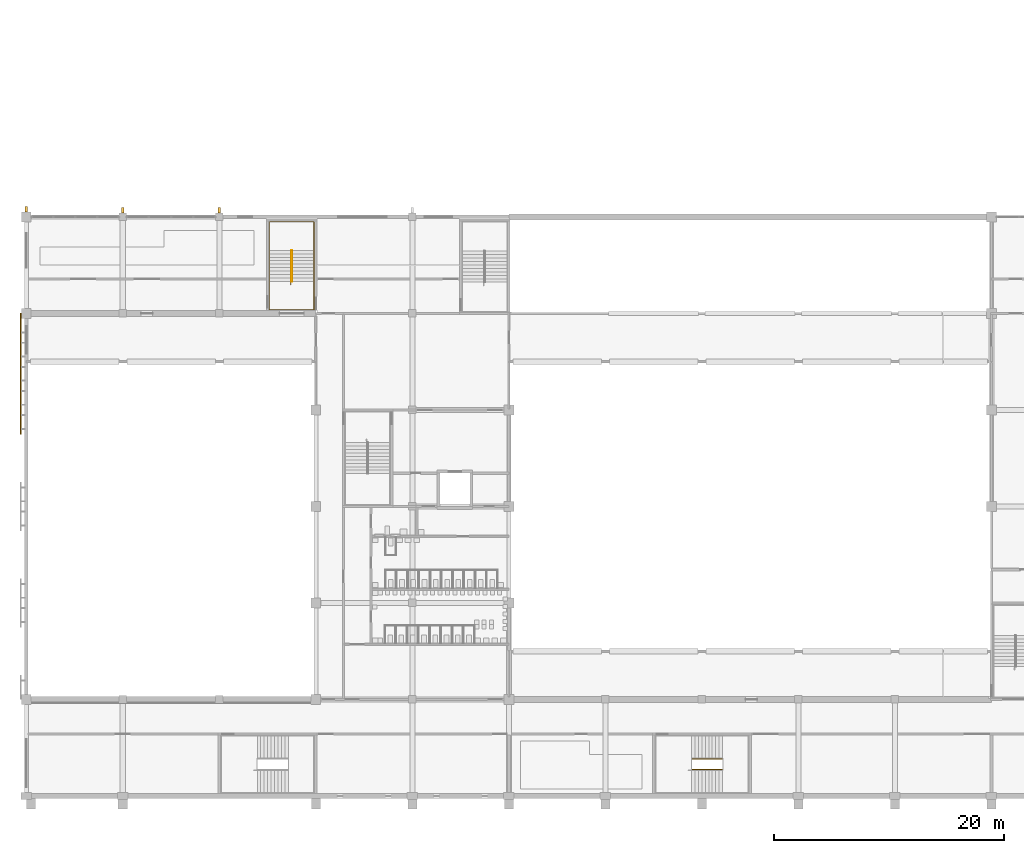
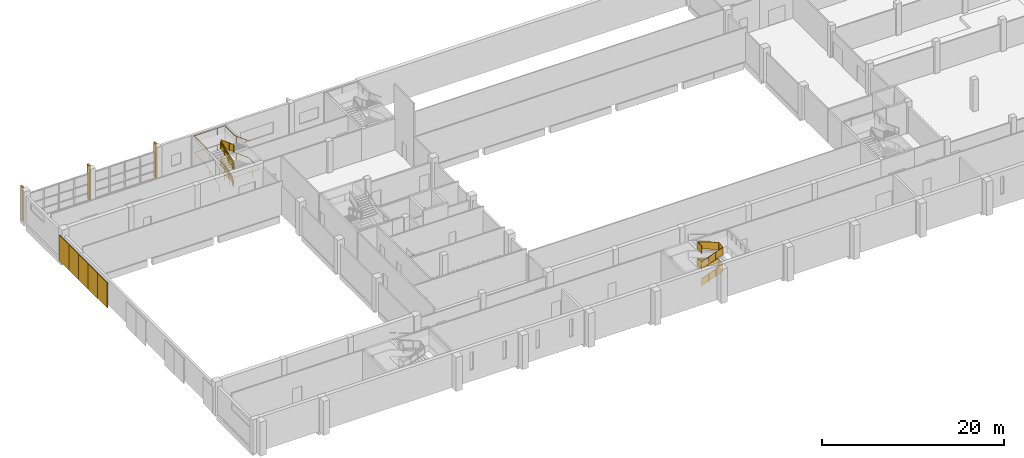
# One storey, part 53 of 64: 8 shading devices, 7 railings.
"""IFC4 building model written with IfcOpenShell, lengths in metres."""

import ifcopenshell
import ifcopenshell.guid

model = None  # the IFC model being written
_history = None  # IfcOwnerHistory: only IFC2X3 demands one
_inside = {}  # id of a spatial element -> (the spatial element, [elements in it])
_under = {}  # id of a project, library or spatial element -> (it, [spatial elements below it])
_declared = {}  # id of a project -> (the project, [libraries it declares])
_typed = {}  # id of a type object -> (the type object, [elements of that type])
_made_of = {}  # id of a material, layer set ... -> (it, [elements and type objects made of it])


def new_model(schema):
    """Start an empty IFC model of exactly this schema.

    Asked for "IFC4X3", IfcOpenShell would pick the latest addendum, in which some entities
    have other attributes; the version numbers below select the first issue.
    IFC2X3 requires an IfcOwnerHistory on every rooted entity: one is made here for all.
    """
    global model, _history
    if schema == "IFC4X3":
        model = ifcopenshell.file(schema_version=(4, 3, 0, 0))
    else:
        model = ifcopenshell.file(schema=schema)
    _inside.clear()
    _under.clear()
    _declared.clear()
    _typed.clear()
    _made_of.clear()
    _history = None
    if model.schema == "IFC2X3":
        org = make("IfcOrganization", Name="unknown")
        user = make(
            "IfcPersonAndOrganization",
            ThePerson=make("IfcPerson", FamilyName="unknown"),
            TheOrganization=org,
        )
        app = make(
            "IfcApplication",
            ApplicationDeveloper=org,
            Version="unknown",
            ApplicationFullName="unknown",
            ApplicationIdentifier="unknown",
        )
        _history = make(
            "IfcOwnerHistory",
            OwningUser=user,
            OwningApplication=app,
            ChangeAction="ADDED",
            CreationDate=0,
        )
    return model


def make(cls, **values):
    """One entity of the class cls with the attributes given. An attribute that is None is left unset."""
    return model.create_entity(
        cls, **{name: value for name, value in values.items() if value is not None}
    )


def rooted(cls, **values):
    """An entity with a GlobalId (a new one), such as an element, a storey or a relation."""
    return make(cls, GlobalId=ifcopenshell.guid.new(), OwnerHistory=_history, **values)


def si_unit(unit_type, name, prefix=None):
    """IfcSIUnit, for example si_unit("LENGTHUNIT", "METRE", prefix="MILLI")."""
    return make("IfcSIUnit", UnitType=unit_type, Prefix=prefix, Name=name)


def assignment(units):
    """IfcUnitAssignment: the units of a project."""
    return None if units is None else make("IfcUnitAssignment", Units=units)


def point(xyz):
    """IfcCartesianPoint."""
    return None if xyz is None else make("IfcCartesianPoint", Coordinates=xyz)


def direction(xyz):
    """IfcDirection."""
    return None if xyz is None else make("IfcDirection", DirectionRatios=xyz)


def frame(location, z_axis=None, x_axis=None):
    """IfcAxis2Placement3D, a coordinate frame: its origin and axes. An axis left out is left unset."""
    return make(
        "IfcAxis2Placement3D",
        Location=point(location),
        Axis=direction(z_axis),
        RefDirection=direction(x_axis),
    )


def frame_2d(location, x_axis=None):
    """IfcAxis2Placement2D, a coordinate frame in the plane: its origin and x axis."""
    return make(
        "IfcAxis2Placement2D", Location=point(location), RefDirection=direction(x_axis)
    )


def origin():
    """The frame at (0, 0, 0) with its axes left unset."""
    return frame((0.0, 0.0, 0.0))


def origin_2d():
    """The frame at (0, 0) in the plane with its x axis left unset."""
    return frame_2d((0.0, 0.0))


def place(relative_to, where):
    """IfcLocalPlacement: puts the frame where relative to a parent placement (None: the world)."""
    return make(
        "IfcLocalPlacement", PlacementRelTo=relative_to, RelativePlacement=where
    )


def context(
    kind, dimensions, precision=None, world=None, true_north=None, identifier=None
):
    """IfcGeometricRepresentationContext, for example the 3D "Model" context."""
    return make(
        "IfcGeometricRepresentationContext",
        ContextIdentifier=identifier,
        ContextType=kind,
        CoordinateSpaceDimension=dimensions,
        Precision=precision,
        WorldCoordinateSystem=world,
        TrueNorth=true_north,
    )


def subcontext(parent, identifier, kind, view, scale=None):
    """IfcGeometricRepresentationSubContext, for example "Body" below "Model"."""
    return make(
        "IfcGeometricRepresentationSubContext",
        ContextIdentifier=identifier,
        ContextType=kind,
        ParentContext=parent,
        TargetScale=scale,
        TargetView=view,
    )


def project(units=None, contexts=None):
    """IfcProject with its units and contexts."""
    return rooted(
        "IfcProject",
        Name="project",
        RepresentationContexts=contexts,
        UnitsInContext=assignment(units),
    )


def spatial(cls, under=None, at=None, **own):
    """A site, building, storey or space (cls), placed at a placement, below another one or the project."""
    s = rooted(cls, ObjectPlacement=at, **own)
    if under is not None:
        _under.setdefault(under.id(), (under, []))[1].append(s)
    return s


def polyline(points):
    """IfcPolyline through the points."""
    return make("IfcPolyline", Points=[point(p) for p in points])


def profile(cls, at=None, kind="AREA", **sizes):
    """A parametric profile (cls). Its sizes go by their IFC names, for example OverallWidth=200.0."""
    return make(cls, ProfileType=kind, Position=at, **sizes)


def rectangle(**sizes):
    """IfcRectangleProfileDef."""
    return profile("IfcRectangleProfileDef", **sizes)


def circle(**sizes):
    """IfcCircleProfileDef."""
    return profile("IfcCircleProfileDef", **sizes)


def outline(outer, holes=None, kind="AREA"):
    """IfcArbitraryClosedProfileDef: a profile drawn as a closed curve; with holes, ...WithVoids."""
    if holes is None:
        return make("IfcArbitraryClosedProfileDef", ProfileType=kind, OuterCurve=outer)
    return make(
        "IfcArbitraryProfileDefWithVoids",
        ProfileType=kind,
        OuterCurve=outer,
        InnerCurves=holes,
    )


def extrude(swept, where, along, depth):
    """IfcExtrudedAreaSolid: the profile swept, set in the frame where, extruded along a direction by depth."""
    return make(
        "IfcExtrudedAreaSolid",
        SweptArea=swept,
        Position=where,
        ExtrudedDirection=direction(along),
        Depth=depth,
    )


def shape(context_of_items, identifier, shape_type, items):
    """IfcShapeRepresentation: the items that make up one representation, for example the "Body"."""
    return make(
        "IfcShapeRepresentation",
        ContextOfItems=context_of_items,
        RepresentationIdentifier=identifier,
        RepresentationType=shape_type,
        Items=items,
    )


def material(Name=None, Category=None):
    """IfcMaterial."""
    return make("IfcMaterial", Name=Name, Category=Category)


def layer(
    of_material, thickness, ventilated=None, Name=None, Category=None, Priority=None
):
    """IfcMaterialLayer: one layer of a wall or slab, of a material (None: an air gap)."""
    return make(
        "IfcMaterialLayer",
        Material=of_material,
        LayerThickness=thickness,
        IsVentilated=ventilated,
        Name=Name,
        Category=Category,
        Priority=Priority,
    )


def layer_set(layers, Name=None):
    """IfcMaterialLayerSet."""
    return make("IfcMaterialLayerSet", MaterialLayers=layers, LayerSetName=Name)


def material_profile(
    of_material, cross_section, Name=None, Category=None, Priority=None
):
    """IfcMaterialProfile: a cross section and its material."""
    return make(
        "IfcMaterialProfile",
        Name=Name,
        Material=of_material,
        Profile=cross_section,
        Priority=Priority,
        Category=Category,
    )


def profile_set(profiles, Name=None, composite=None):
    """IfcMaterialProfileSet."""
    return make(
        "IfcMaterialProfileSet",
        Name=Name,
        MaterialProfiles=profiles,
        CompositeProfile=composite,
    )


def made_of(thing, what):
    """Note that an element or type object is made of a material, layer set ...; save() writes the relation."""
    if what is not None:
        _made_of.setdefault(what.id(), (what, []))[1].append(thing)
    return thing


def type_object(cls, material=None, **own):
    """A type object (cls), such as IfcWallType, which elements share."""
    return made_of(rooted(cls, **own), material)


def element(
    cls,
    number,
    at=None,
    inside=None,
    cuts=None,
    type_object=None,
    material=None,
    context=None,
    identifier="Body",
    shape_type=None,
    held_by="IfcProductDefinitionShape",
    body=None,
    shapes=None,
    **own,
):
    """One element of the class cls, such as IfcWall. Its Tag is "e" and its number.

    at: its placement. inside: the storey or other place that contains it. cuts: it is an
    opening in that element (IfcRelVoidsElement). A single representation is given by context,
    identifier, shape_type and body (its items); several are given by shapes. held_by: the class
    of the entity that holds the representations. save() writes the other relations.
    """
    e = rooted(cls, Tag="e%d" % number, ObjectPlacement=at, **own)
    if body is not None:
        shapes = [shape(context, identifier, shape_type, body)]
    if shapes is not None:
        e.Representation = make(held_by, Representations=shapes)
    if inside is not None:
        _inside.setdefault(inside.id(), (inside, []))[1].append(e)
    if cuts is not None:
        rooted(
            "IfcRelVoidsElement", RelatingBuildingElement=cuts, RelatedOpeningElement=e
        )
    if type_object is not None:
        _typed.setdefault(type_object.id(), (type_object, []))[1].append(e)
    return made_of(e, material)


def aggregate(whole, parts):
    """IfcRelAggregates: a whole, such as a stair, and the parts it consists of."""
    return rooted("IfcRelAggregates", RelatingObject=whole, RelatedObjects=parts)


def save(model, path):
    """Write the relations noted so far, then the file.

    IfcRelAggregates (storeys below a building ...), IfcRelContainedInSpatialStructure (elements
    in a storey), IfcRelDefinesByType, IfcRelAssociatesMaterial and IfcRelDeclares: one each for
    every whole, place, type object, material and project.
    """
    for whole, parts in _under.values():
        aggregate(whole, parts)
    for where, things in _inside.values():
        rooted(
            "IfcRelContainedInSpatialStructure",
            RelatedElements=things,
            RelatingStructure=where,
        )
    for kind, things in _typed.values():
        rooted("IfcRelDefinesByType", RelatedObjects=things, RelatingType=kind)
    for what, things in _made_of.values():
        rooted("IfcRelAssociatesMaterial", RelatedObjects=things, RelatingMaterial=what)
    for by, libraries in _declared.values():
        rooted("IfcRelDeclares", RelatingContext=by, RelatedDefinitions=libraries)
    model.write(path)


model = new_model("IFC4")

# Units and contexts
model_context = context("Model", 3, precision=1e-05, world=origin(), true_north=direction((0.0, 1.0)))
body_context = subcontext(model_context, "Body", "Model", "MODEL_VIEW")
ifc_project = project(units=[si_unit("LENGTHUNIT", "METRE"), si_unit("AREAUNIT", "SQUARE_METRE"), si_unit("VOLUMEUNIT", "CUBIC_METRE"), si_unit("PLANEANGLEUNIT", "RADIAN"), si_unit("MASSUNIT", "GRAM", prefix="KILO")], contexts=[model_context])

# Site, building, storey
site_placement = place(None, origin())
site = spatial("IfcSite", under=ifc_project, at=site_placement, CompositionType="ELEMENT")
building_placement = place(site_placement, origin())
building = spatial("IfcBuilding", under=site, at=building_placement, Name="Rulbaag Community and Learning Centre", CompositionType="ELEMENT")
storey_placement = place(building_placement, frame((0.0, 0.0, 5.39990234375)))
storey = spatial("IfcBuildingStorey", under=building, at=storey_placement, Name="L01", CompositionType="ELEMENT", Elevation=5.39990234375)

# Shading devices
ifc_material_1 = material(Name="Concrete M40", Category="concrete")
ifc_material_profile = material_profile(ifc_material_1, rectangle(XDim=0.199951171875, YDim=0.5, at=origin_2d()), Name="PC 200x500")
ifc_profile_set = profile_set([ifc_material_profile], Name="Concrete M40")
shading_device_type_1 = type_object("IfcShadingDeviceType", Name="FIN-D", PredefinedType="JALOUSIE", material=ifc_profile_set)
for number, where, z_axis, x_axis, name in (
    (1, (0.0, 51.074951171875, -0.2998046875), (0.0, 0.0, 1.0), (1.0, 0.0, 0.0), "Precast fin"),
    (2, (8.39990234375, 50.97509765625, -0.2998046875), (0.0, 0.0, 1.0), (1.0, 0.0, 0.0), "Precast fin"),
    (3, (16.800048828125, 50.97509765625, -0.2998046875), (0.0, 0.0, 1.0), (1.0, 0.0, 0.0), "Precast fin"),
):
    element("IfcShadingDevice", number, at=place(storey_placement, frame(where, z_axis=z_axis, x_axis=x_axis)), inside=storey, type_object=shading_device_type_1, Name=name, PredefinedType="JALOUSIE", context=body_context, shape_type="SweptSolid", body=[
        extrude(rectangle(XDim=0.199951171875, YDim=0.5, at=origin_2d()), origin(), (0.0, 0.0, 1.0), 4.5498046875),
    ])

# Railings
ifc_material_2 = material(Name="Galvanised mild steel", Category="steel")
railing_type_1 = type_object("IfcRailingType", Name="GR-1100 GUARD 1100", PredefinedType="GUARDRAIL", material=ifc_material_2)
railing_1_placement = place(storey_placement, frame((23.080078125, 44.78759765625, 0.112548828125)))
element("IfcRailing", 4, at=railing_1_placement, inside=storey, type_object=railing_type_1, Name="Guard SH0 L01 G", PredefinedType="GUARDRAIL", context=body_context, shape_type="SweptSolid", body=[
    extrude(circle(Radius=0.02490234375, at=origin_2d()), frame((0.0, 0.0, 1.0751953125), z_axis=(0.0, 0.93633265699, 0.351114162993), x_axis=(-1.0, 0.0, 0.0)), (0.0, 0.0, 1.0), 2.883544921875),
    extrude(circle(Radius=0.02001953125, at=origin_2d()), origin(), (0.0, 0.0, 1.0), 1.050048828125),
    extrude(circle(Radius=0.02001953125, at=origin_2d()), frame((0.0, 0.89990234375, 0.33740234375)), (0.0, 0.0, 1.0), 1.050048828125),
    extrude(circle(Radius=0.02001953125, at=origin_2d()), frame((0.0, 1.800048828125, 0.675048828125)), (0.0, 0.0, 1.0), 1.050048828125),
    extrude(circle(Radius=0.02001953125, at=origin_2d()), frame((0.0, 2.699951171875, 1.012451171875)), (0.0, 0.0, 1.0), 1.050048828125),
    extrude(outline(polyline([(0.0, 0.0), (2.699951171875, 1.012451171875), (2.699951171875, 1.96240234375), (0.0, 0.949951171875), (0.0, 0.0)])), frame((-0.0048828125, 0.0, 0.10009765625), z_axis=(1.0, 0.0, 0.0), x_axis=(0.0, 1.0, 0.0)), (0.0, 0.0, 1.0), 0.010009765625),
])
railing_2_placement = place(storey_placement, frame((23.1201171875, 47.487548828125, 1.237548828125)))
element("IfcRailing", 5, at=railing_2_placement, inside=storey, type_object=railing_type_1, Name="Guard SH0 L01 G2", PredefinedType="GUARDRAIL", context=body_context, shape_type="SweptSolid", body=[
    extrude(circle(Radius=0.02490234375, at=origin_2d()), frame((0.0, 0.0, 1.0751953125), z_axis=(0.0, -0.93633265699, 0.351114162993), x_axis=(1.0, 0.0, 0.0)), (0.0, 0.0, 1.0), 2.883544921875),
    extrude(circle(Radius=0.02001953125, at=origin_2d()), origin(), (0.0, 0.0, 1.0), 1.050048828125),
    extrude(circle(Radius=0.02001953125, at=origin_2d()), frame((0.0, -0.89990234375, 0.33740234375)), (0.0, 0.0, 1.0), 1.050048828125),
    extrude(circle(Radius=0.02001953125, at=origin_2d()), frame((0.0, -1.800048828125, 0.675048828125)), (0.0, 0.0, 1.0), 1.050048828125),
    extrude(circle(Radius=0.02001953125, at=origin_2d()), frame((0.0, -2.699951171875, 1.012451171875)), (0.0, 0.0, 1.0), 1.050048828125),
    extrude(outline(polyline([(0.0, 0.0), (2.699951171875, 1.012451171875), (2.699951171875, 1.96240234375), (0.0, 0.949951171875), (0.0, 0.0)])), frame((0.0048828125, 0.0, 0.10009765625), z_axis=(-1.0, 0.0, 0.0), x_axis=(0.0, -1.0, 0.0)), (0.0, 0.0, 1.0), 0.010009765625),
])
railing_3_placement = place(storey_placement, frame((23.080078125, 44.78759765625, 2.362548828125)))
element("IfcRailing", 6, at=railing_3_placement, inside=storey, type_object=railing_type_1, Name="Guard SH0 L01 G3", PredefinedType="GUARDRAIL", context=body_context, shape_type="SweptSolid", body=[
    extrude(circle(Radius=0.02490234375, at=origin_2d()), frame((0.0, 0.0, 1.0751953125), z_axis=(0.0, 0.93633265699, 0.351114162993), x_axis=(-1.0, 0.0, 0.0)), (0.0, 0.0, 1.0), 2.883544921875),
    extrude(circle(Radius=0.02001953125, at=origin_2d()), origin(), (0.0, 0.0, 1.0), 1.050048828125),
    extrude(circle(Radius=0.02001953125, at=origin_2d()), frame((0.0, 0.89990234375, 0.33740234375)), (0.0, 0.0, 1.0), 1.050048828125),
    extrude(circle(Radius=0.02001953125, at=origin_2d()), frame((0.0, 1.800048828125, 0.675048828125)), (0.0, 0.0, 1.0), 1.050048828125),
    extrude(circle(Radius=0.02001953125, at=origin_2d()), frame((0.0, 2.699951171875, 1.012451171875)), (0.0, 0.0, 1.0), 1.050048828125),
    extrude(outline(polyline([(0.0, 0.0), (2.699951171875, 1.012451171875), (2.699951171875, 1.96240234375), (0.0, 0.949951171875), (0.0, 0.0)])), frame((-0.0048828125, 0.0, 0.10009765625), z_axis=(1.0, 0.0, 0.0), x_axis=(0.0, 1.0, 0.0)), (0.0, 0.0, 1.0), 0.010009765625),
])
railing_4_placement = place(storey_placement, frame((23.1201171875, 47.487548828125, 3.487548828125)))
element("IfcRailing", 7, at=railing_4_placement, inside=storey, type_object=railing_type_1, Name="Guard SH0 L01 G4", PredefinedType="GUARDRAIL", context=body_context, shape_type="SweptSolid", body=[
    extrude(circle(Radius=0.02490234375, at=origin_2d()), frame((0.0, 0.0, 1.0751953125), z_axis=(0.0, -0.93633265699, 0.351114162993), x_axis=(1.0, 0.0, 0.0)), (0.0, 0.0, 1.0), 2.883544921875),
    extrude(circle(Radius=0.02001953125, at=origin_2d()), origin(), (0.0, 0.0, 1.0), 1.050048828125),
    extrude(circle(Radius=0.02001953125, at=origin_2d()), frame((0.0, -0.89990234375, 0.33740234375)), (0.0, 0.0, 1.0), 1.050048828125),
    extrude(circle(Radius=0.02001953125, at=origin_2d()), frame((0.0, -1.800048828125, 0.675048828125)), (0.0, 0.0, 1.0), 1.050048828125),
    extrude(circle(Radius=0.02001953125, at=origin_2d()), frame((0.0, -2.699951171875, 1.012451171875)), (0.0, 0.0, 1.0), 1.050048828125),
    extrude(outline(polyline([(0.0, 0.0), (2.699951171875, 1.012451171875), (2.699951171875, 1.96240234375), (0.0, 0.949951171875), (0.0, 0.0)])), frame((0.0048828125, 0.0, 0.10009765625), z_axis=(-1.0, 0.0, 0.0), x_axis=(0.0, -1.0, 0.0)), (0.0, 0.0, 1.0), 0.010009765625),
])
railing_5_placement = place(storey_placement, frame((57.89990234375, 2.304931640625, 0.112548828125)))
element("IfcRailing", 8, at=railing_5_placement, inside=storey, type_object=railing_type_1, Name="Guard SH8 L01 G", PredefinedType="GUARDRAIL", context=body_context, shape_type="SweptSolid", body=[
    extrude(circle(Radius=0.02490234375, at=origin_2d()), frame((0.0, 0.0, 1.0751953125), z_axis=(0.936343093598, 0.0, 0.351086329941), x_axis=(0.0, 1.0, 0.0)), (0.0, 0.0, 1.0), 2.8837890625),
    extrude(circle(Radius=0.02490234375, at=origin_2d()), frame((2.7001953125, 0.0, 2.08740234375), z_axis=(0.0, 0.992520392836, 0.122078949065), x_axis=(-1.0, 0.0, 0.0)), (0.0, 0.0, 1.0), 0.921875),
    extrude(circle(Radius=0.02490234375, at=origin_2d()), frame((2.7001953125, 0.9150390625, 2.2001953125), z_axis=(-0.936343093598, 0.0, 0.351086329941), x_axis=(0.0, -1.0, 0.0)), (0.0, 0.0, 1.0), 2.8837890625),
    extrude(circle(Radius=0.02490234375, at=origin_2d()), frame((0.0, 0.9150390625, 3.21240234375), z_axis=(0.0, -0.992520392836, 0.122078949065), x_axis=(1.0, 0.0, 0.0)), (0.0, 0.0, 1.0), 0.921875),
    extrude(circle(Radius=0.02490234375, at=origin_2d()), frame((0.0, 0.0, 3.3251953125), z_axis=(0.936343093598, 0.0, 0.351086329941), x_axis=(0.0, 1.0, 0.0)), (0.0, 0.0, 1.0), 2.8837890625),
    extrude(circle(Radius=0.02490234375, at=origin_2d()), frame((2.7001953125, 0.0, 4.33740234375), z_axis=(0.0, 0.992520392836, 0.122078949065), x_axis=(-1.0, 0.0, 0.0)), (0.0, 0.0, 1.0), 0.921875),
    extrude(circle(Radius=0.02490234375, at=origin_2d()), frame((2.7001953125, 0.9150390625, 4.4501953125), z_axis=(-0.936343093598, 0.0, 0.351086329941), x_axis=(0.0, -1.0, 0.0)), (0.0, 0.0, 1.0), 2.8837890625),
    extrude(circle(Radius=0.02490234375, at=origin_2d()), frame((0.0, 0.9150390625, 5.46240234375), z_axis=(0.0, -1.0, 0.0), x_axis=(1.0, 0.0, 0.0)), (0.0, 0.0, 1.0), 0.9150390625),
    extrude(circle(Radius=0.02001953125, at=origin_2d()), origin(), (0.0, 0.0, 1.0), 1.050048828125),
    extrude(circle(Radius=0.02001953125, at=origin_2d()), frame((0.900146484375, 0.0, 0.33740234375)), (0.0, 0.0, 1.0), 1.050048828125),
    extrude(circle(Radius=0.02001953125, at=origin_2d()), frame((1.800048828125, 0.0, 0.675048828125)), (0.0, 0.0, 1.0), 1.050048828125),
    extrude(circle(Radius=0.02001953125, at=origin_2d()), frame((2.7001953125, 0.0, 1.012451171875)), (0.0, 0.0, 1.0), 1.050048828125),
    extrude(circle(Radius=0.02001953125, at=origin_2d()), frame((2.7001953125, 0.9150390625, 1.125)), (0.0, 0.0, 1.0), 1.050048828125),
    extrude(circle(Radius=0.02001953125, at=origin_2d()), frame((1.800048828125, 0.9150390625, 1.46240234375)), (0.0, 0.0, 1.0), 1.050048828125),
    extrude(circle(Radius=0.02001953125, at=origin_2d()), frame((0.900146484375, 0.9150390625, 1.800048828125)), (0.0, 0.0, 1.0), 1.050048828125),
    extrude(circle(Radius=0.02001953125, at=origin_2d()), frame((0.0, 0.9150390625, 2.137451171875)), (0.0, 0.0, 1.0), 1.050048828125),
    extrude(circle(Radius=0.02001953125, at=origin_2d()), frame((0.0, 0.0, 2.25)), (0.0, 0.0, 1.0), 1.050048828125),
    extrude(circle(Radius=0.02001953125, at=origin_2d()), frame((0.900146484375, 0.0, 2.58740234375)), (0.0, 0.0, 1.0), 1.050048828125),
    extrude(circle(Radius=0.02001953125, at=origin_2d()), frame((1.800048828125, 0.0, 2.925048828125)), (0.0, 0.0, 1.0), 1.050048828125),
    extrude(circle(Radius=0.02001953125, at=origin_2d()), frame((2.7001953125, 0.0, 3.262451171875)), (0.0, 0.0, 1.0), 1.050048828125),
    extrude(circle(Radius=0.02001953125, at=origin_2d()), frame((2.7001953125, 0.9150390625, 3.375)), (0.0, 0.0, 1.0), 1.050048828125),
    extrude(circle(Radius=0.02001953125, at=origin_2d()), frame((1.800048828125, 0.9150390625, 3.71240234375)), (0.0, 0.0, 1.0), 1.050048828125),
    extrude(circle(Radius=0.02001953125, at=origin_2d()), frame((0.900146484375, 0.9150390625, 4.050048828125)), (0.0, 0.0, 1.0), 1.050048828125),
    extrude(circle(Radius=0.02001953125, at=origin_2d()), frame((0.0, 0.9150390625, 4.387451171875)), (0.0, 0.0, 1.0), 1.050048828125),
    extrude(circle(Radius=0.02001953125, at=origin_2d()), frame((0.0, 0.0, 4.387451171875)), (0.0, 0.0, 1.0), 1.050048828125),
    extrude(outline(polyline([(0.0, 0.0), (2.7001953125, 1.012451171875), (2.7001953125, 1.96240234375), (0.0, 0.949951171875), (0.0, 0.0)])), frame((0.0, 0.0048828125, 0.10009765625), z_axis=(0.0, -1.0, 0.0), x_axis=(1.0, 0.0, 0.0)), (0.0, 0.0, 1.0), 0.010009765625),
    extrude(outline(polyline([(0.0, 0.0), (0.9150390625, 0.112548828125), (0.9150390625, 1.0625), (0.0, 0.949951171875), (0.0, 0.0)])), frame((2.6953125, 0.0, 1.112548828125), z_axis=(1.0, 0.0, 0.0), x_axis=(0.0, 1.0, 0.0)), (0.0, 0.0, 1.0), 0.010009765625),
    extrude(outline(polyline([(0.0, 0.0), (2.7001953125, 1.012451171875), (2.7001953125, 1.96240234375), (0.0, 0.949951171875), (0.0, 0.0)])), frame((2.7001953125, 0.91015625, 1.22509765625), z_axis=(0.0, 1.0, 0.0), x_axis=(-1.0, 0.0, 0.0)), (0.0, 0.0, 1.0), 0.010009765625),
    extrude(outline(polyline([(0.0, 0.0), (0.9150390625, 0.112548828125), (0.9150390625, 1.0625), (0.0, 0.949951171875), (0.0, 0.0)])), frame((0.0048828125, 0.9150390625, 2.237548828125), z_axis=(-1.0, 0.0, 0.0), x_axis=(0.0, -1.0, 0.0)), (0.0, 0.0, 1.0), 0.010009765625),
    extrude(outline(polyline([(0.0, 0.0), (2.7001953125, 1.012451171875), (2.7001953125, 1.96240234375), (0.0, 0.949951171875), (0.0, 0.0)])), frame((0.0, 0.0048828125, 2.35009765625), z_axis=(0.0, -1.0, 0.0), x_axis=(1.0, 0.0, 0.0)), (0.0, 0.0, 1.0), 0.010009765625),
    extrude(outline(polyline([(0.0, 0.0), (0.9150390625, 0.112548828125), (0.9150390625, 1.0625), (0.0, 0.949951171875), (0.0, 0.0)])), frame((2.6953125, 0.0, 3.362548828125), z_axis=(1.0, 0.0, 0.0), x_axis=(0.0, 1.0, 0.0)), (0.0, 0.0, 1.0), 0.010009765625),
    extrude(outline(polyline([(0.0, 0.0), (2.7001953125, 1.012451171875), (2.7001953125, 1.96240234375), (0.0, 0.949951171875), (0.0, 0.0)])), frame((2.7001953125, 0.91015625, 3.47509765625), z_axis=(0.0, 1.0, 0.0), x_axis=(-1.0, 0.0, 0.0)), (0.0, 0.0, 1.0), 0.010009765625),
    extrude(outline(polyline([(0.0, 0.0), (0.9150390625, 0.0), (0.9150390625, 0.949951171875), (0.0, 0.949951171875), (0.0, 0.0)])), frame((0.0048828125, 0.9150390625, 4.487548828125), z_axis=(-1.0, 0.0, 0.0), x_axis=(0.0, -1.0, 0.0)), (0.0, 0.0, 1.0), 0.010009765625),
])
ifc_material_3 = material(Name="Stainless steel grade 316", Category="steel")
railing_type_2 = type_object("IfcRailingType", Name="HR-900 HANDRAIL 900", PredefinedType="HANDRAIL", material=ifc_material_3)
railing_6_placement = place(storey_placement, frame((21.159912109375, 44.487548828125, 0.0)))
element("IfcRailing", 9, at=railing_6_placement, inside=storey, type_object=railing_type_2, Name="Handrail SH0 L01 O", PredefinedType="HANDRAIL", context=body_context, shape_type="SweptSolid", body=[
    extrude(circle(Radius=0.024169921875, at=origin_2d()), frame((0.0, 0.0, 0.875732421875), z_axis=(0.0, 0.936297865471, 0.351206929196), x_axis=(-1.0, 0.0, 0.0)), (0.0, 0.0, 1.0), 0.320556640625),
    extrude(circle(Radius=0.024169921875, at=origin_2d()), frame((0.0, 0.300048828125, 0.98828125), z_axis=(0.0, 0.93633265699, 0.351114162993), x_axis=(-1.0, 0.0, 0.0)), (0.0, 0.0, 1.0), 2.883544921875),
    extrude(circle(Radius=0.024169921875, at=origin_2d()), frame((0.0, 3.0, 2.000732421875), z_axis=(0.0, 1.0, 0.0), x_axis=(-1.0, 0.0, 0.0)), (0.0, 0.0, 1.0), 2.4775390625),
    extrude(circle(Radius=0.024169921875, at=origin_2d()), frame((0.0, 5.4775390625, 2.000732421875), z_axis=(1.0, 0.0, 0.0), x_axis=(0.0, 1.0, 0.0)), (0.0, 0.0, 1.0), 3.880126953125),
    extrude(circle(Radius=0.024169921875, at=origin_2d()), frame((3.880126953125, 5.4775390625, 2.000732421875), z_axis=(0.0, -1.0, 0.0), x_axis=(1.0, 0.0, 0.0)), (0.0, 0.0, 1.0), 2.177490234375),
    extrude(circle(Radius=0.024169921875, at=origin_2d()), frame((3.880126953125, 3.300048828125, 2.000732421875), z_axis=(0.0, -0.936297865471, 0.351206929196), x_axis=(1.0, 0.0, 0.0)), (0.0, 0.0, 1.0), 0.320556640625),
    extrude(circle(Radius=0.024169921875, at=origin_2d()), frame((3.880126953125, 3.0, 2.11328125), z_axis=(0.0, -0.93633265699, 0.351114162993), x_axis=(1.0, 0.0, 0.0)), (0.0, 0.0, 1.0), 2.883544921875),
    extrude(circle(Radius=0.024169921875, at=origin_2d()), frame((3.880126953125, 0.300048828125, 3.125732421875), z_axis=(0.0, -1.0, 0.0), x_axis=(1.0, 0.0, 0.0)), (0.0, 0.0, 1.0), 2.4775390625),
    extrude(circle(Radius=0.024169921875, at=origin_2d()), frame((3.880126953125, -2.177490234375, 3.125732421875), z_axis=(-1.0, 0.0, 0.0), x_axis=(0.0, -1.0, 0.0)), (0.0, 0.0, 1.0), 3.880126953125),
    extrude(circle(Radius=0.024169921875, at=origin_2d()), frame((0.0, -2.177490234375, 3.125732421875), z_axis=(0.0, 1.0, 0.0), x_axis=(-1.0, 0.0, 0.0)), (0.0, 0.0, 1.0), 2.177490234375),
    extrude(circle(Radius=0.024169921875, at=origin_2d()), frame((0.0, 0.0, 3.125732421875), z_axis=(0.0, 0.936297865471, 0.351206929196), x_axis=(-1.0, 0.0, 0.0)), (0.0, 0.0, 1.0), 0.320556640625),
    extrude(circle(Radius=0.024169921875, at=origin_2d()), frame((0.0, 0.300048828125, 3.23828125), z_axis=(0.0, 0.93633265699, 0.351114162993), x_axis=(-1.0, 0.0, 0.0)), (0.0, 0.0, 1.0), 2.883544921875),
    extrude(circle(Radius=0.024169921875, at=origin_2d()), frame((0.0, 3.0, 4.250732421875), z_axis=(0.0, 1.0, 0.0), x_axis=(-1.0, 0.0, 0.0)), (0.0, 0.0, 1.0), 2.4775390625),
    extrude(circle(Radius=0.024169921875, at=origin_2d()), frame((0.0, 5.4775390625, 4.250732421875), z_axis=(1.0, 0.0, 0.0), x_axis=(0.0, 1.0, 0.0)), (0.0, 0.0, 1.0), 3.880126953125),
    extrude(circle(Radius=0.024169921875, at=origin_2d()), frame((3.880126953125, 5.4775390625, 4.250732421875), z_axis=(0.0, -1.0, 0.0), x_axis=(1.0, 0.0, 0.0)), (0.0, 0.0, 1.0), 2.177490234375),
    extrude(circle(Radius=0.024169921875, at=origin_2d()), frame((3.880126953125, 3.300048828125, 4.250732421875), z_axis=(0.0, -0.936297865471, 0.351206929196), x_axis=(1.0, 0.0, 0.0)), (0.0, 0.0, 1.0), 0.320556640625),
    extrude(circle(Radius=0.024169921875, at=origin_2d()), frame((3.880126953125, 3.0, 4.36328125), z_axis=(0.0, -0.93633265699, 0.351114162993), x_axis=(1.0, 0.0, 0.0)), (0.0, 0.0, 1.0), 2.883544921875),
    extrude(circle(Radius=0.008056640625, at=origin_2d()), origin(), (0.0, 0.0, 1.0), 0.8515625),
    extrude(circle(Radius=0.008056640625, at=origin_2d()), frame((0.0, 0.300048828125, 0.112548828125)), (0.0, 0.0, 1.0), 0.8515625),
    extrude(circle(Radius=0.008056640625, at=origin_2d()), frame((0.0, 1.199951171875, 0.449951171875)), (0.0, 0.0, 1.0), 0.8515625),
    extrude(circle(Radius=0.008056640625, at=origin_2d()), frame((0.0, 2.10009765625, 0.78759765625)), (0.0, 0.0, 1.0), 0.8515625),
    extrude(circle(Radius=0.008056640625, at=origin_2d()), frame((0.0, 3.0, 1.125)), (0.0, 0.0, 1.0), 0.8515625),
    extrude(circle(Radius=0.008056640625, at=origin_2d()), frame((0.0, 3.825927734375, 1.125)), (0.0, 0.0, 1.0), 0.8515625),
    extrude(circle(Radius=0.008056640625, at=origin_2d()), frame((0.0, 4.651611328125, 1.125)), (0.0, 0.0, 1.0), 0.8515625),
    extrude(circle(Radius=0.008056640625, at=origin_2d()), frame((0.0, 5.4775390625, 1.125)), (0.0, 0.0, 1.0), 0.8515625),
    extrude(circle(Radius=0.008056640625, at=origin_2d()), frame((0.969970703125, 5.4775390625, 1.125)), (0.0, 0.0, 1.0), 0.8515625),
    extrude(circle(Radius=0.008056640625, at=origin_2d()), frame((1.93994140625, 5.4775390625, 1.125)), (0.0, 0.0, 1.0), 0.8515625),
    extrude(circle(Radius=0.008056640625, at=origin_2d()), frame((2.91015625, 5.4775390625, 1.125)), (0.0, 0.0, 1.0), 0.8515625),
    extrude(circle(Radius=0.008056640625, at=origin_2d()), frame((3.880126953125, 5.4775390625, 1.125)), (0.0, 0.0, 1.0), 0.8515625),
    extrude(circle(Radius=0.008056640625, at=origin_2d()), frame((3.880126953125, 4.388671875, 1.125)), (0.0, 0.0, 1.0), 0.8515625),
    extrude(circle(Radius=0.008056640625, at=origin_2d()), frame((3.880126953125, 3.300048828125, 1.125)), (0.0, 0.0, 1.0), 0.8515625),
    extrude(circle(Radius=0.008056640625, at=origin_2d()), frame((3.880126953125, 3.0, 1.237548828125)), (0.0, 0.0, 1.0), 0.8515625),
    extrude(circle(Radius=0.008056640625, at=origin_2d()), frame((3.880126953125, 2.10009765625, 1.574951171875)), (0.0, 0.0, 1.0), 0.8515625),
    extrude(circle(Radius=0.008056640625, at=origin_2d()), frame((3.880126953125, 1.199951171875, 1.91259765625)), (0.0, 0.0, 1.0), 0.8515625),
    extrude(circle(Radius=0.008056640625, at=origin_2d()), frame((3.880126953125, 0.300048828125, 2.25)), (0.0, 0.0, 1.0), 0.8515625),
    extrude(circle(Radius=0.008056640625, at=origin_2d()), frame((3.880126953125, -0.52587890625, 2.25)), (0.0, 0.0, 1.0), 0.8515625),
    extrude(circle(Radius=0.008056640625, at=origin_2d()), frame((3.880126953125, -1.3515625, 2.25)), (0.0, 0.0, 1.0), 0.8515625),
    extrude(circle(Radius=0.008056640625, at=origin_2d()), frame((3.880126953125, -2.177490234375, 2.25)), (0.0, 0.0, 1.0), 0.8515625),
    extrude(circle(Radius=0.008056640625, at=origin_2d()), frame((2.91015625, -2.177490234375, 2.25)), (0.0, 0.0, 1.0), 0.8515625),
    extrude(circle(Radius=0.008056640625, at=origin_2d()), frame((1.93994140625, -2.177490234375, 2.25)), (0.0, 0.0, 1.0), 0.8515625),
    extrude(circle(Radius=0.008056640625, at=origin_2d()), frame((0.969970703125, -2.177490234375, 2.25)), (0.0, 0.0, 1.0), 0.8515625),
    extrude(circle(Radius=0.008056640625, at=origin_2d()), frame((0.0, -2.177490234375, 2.25)), (0.0, 0.0, 1.0), 0.8515625),
    extrude(circle(Radius=0.008056640625, at=origin_2d()), frame((0.0, -1.0888671875, 2.25)), (0.0, 0.0, 1.0), 0.8515625),
    extrude(circle(Radius=0.008056640625, at=origin_2d()), frame((0.0, 0.0, 2.25)), (0.0, 0.0, 1.0), 0.8515625),
    extrude(circle(Radius=0.008056640625, at=origin_2d()), frame((0.0, 0.300048828125, 2.362548828125)), (0.0, 0.0, 1.0), 0.8515625),
    extrude(circle(Radius=0.008056640625, at=origin_2d()), frame((0.0, 1.199951171875, 2.699951171875)), (0.0, 0.0, 1.0), 0.8515625),
    extrude(circle(Radius=0.008056640625, at=origin_2d()), frame((0.0, 2.10009765625, 3.03759765625)), (0.0, 0.0, 1.0), 0.8515625),
    extrude(circle(Radius=0.008056640625, at=origin_2d()), frame((0.0, 3.0, 3.375)), (0.0, 0.0, 1.0), 0.8515625),
    extrude(circle(Radius=0.008056640625, at=origin_2d()), frame((0.0, 3.825927734375, 3.375)), (0.0, 0.0, 1.0), 0.8515625),
    extrude(circle(Radius=0.008056640625, at=origin_2d()), frame((0.0, 4.651611328125, 3.375)), (0.0, 0.0, 1.0), 0.8515625),
    extrude(circle(Radius=0.008056640625, at=origin_2d()), frame((0.0, 5.4775390625, 3.375)), (0.0, 0.0, 1.0), 0.8515625),
    extrude(circle(Radius=0.008056640625, at=origin_2d()), frame((0.969970703125, 5.4775390625, 3.375)), (0.0, 0.0, 1.0), 0.8515625),
    extrude(circle(Radius=0.008056640625, at=origin_2d()), frame((1.93994140625, 5.4775390625, 3.375)), (0.0, 0.0, 1.0), 0.8515625),
    extrude(circle(Radius=0.008056640625, at=origin_2d()), frame((2.91015625, 5.4775390625, 3.375)), (0.0, 0.0, 1.0), 0.8515625),
    extrude(circle(Radius=0.008056640625, at=origin_2d()), frame((3.880126953125, 5.4775390625, 3.375)), (0.0, 0.0, 1.0), 0.8515625),
    extrude(circle(Radius=0.008056640625, at=origin_2d()), frame((3.880126953125, 4.388671875, 3.375)), (0.0, 0.0, 1.0), 0.8515625),
    extrude(circle(Radius=0.008056640625, at=origin_2d()), frame((3.880126953125, 3.300048828125, 3.375)), (0.0, 0.0, 1.0), 0.8515625),
    extrude(circle(Radius=0.008056640625, at=origin_2d()), frame((3.880126953125, 3.0, 3.487548828125)), (0.0, 0.0, 1.0), 0.8515625),
    extrude(circle(Radius=0.008056640625, at=origin_2d()), frame((3.880126953125, 2.10009765625, 3.824951171875)), (0.0, 0.0, 1.0), 0.8515625),
    extrude(circle(Radius=0.008056640625, at=origin_2d()), frame((3.880126953125, 1.199951171875, 4.16259765625)), (0.0, 0.0, 1.0), 0.8515625),
    extrude(circle(Radius=0.008056640625, at=origin_2d()), frame((3.880126953125, 0.300048828125, 4.5)), (0.0, 0.0, 1.0), 0.8515625),
])
railing_7_placement = place(storey_placement, frame((23.010009765625, 44.487548828125, 0.0)))
element("IfcRailing", 10, at=railing_7_placement, inside=storey, type_object=railing_type_2, Name="Handrail SH0 L01 I", PredefinedType="HANDRAIL", context=body_context, shape_type="SweptSolid", body=[
    extrude(circle(Radius=0.024169921875, at=origin_2d()), frame((0.0, 0.0, 0.875732421875), z_axis=(0.0, 0.936297865471, 0.351206929196), x_axis=(-1.0, 0.0, 0.0)), (0.0, 0.0, 1.0), 0.320556640625),
    extrude(circle(Radius=0.024169921875, at=origin_2d()), frame((0.0, 0.300048828125, 0.98828125), z_axis=(0.0, 0.93633265699, 0.351114162993), x_axis=(-1.0, 0.0, 0.0)), (0.0, 0.0, 1.0), 2.883544921875),
    extrude(circle(Radius=0.024169921875, at=origin_2d()), frame((0.0, 3.0, 2.000732421875), z_axis=(0.847804368873, 0.0, 0.530309109973), x_axis=(0.0, 1.0, 0.0)), (0.0, 0.0, 1.0), 0.212158203125),
    extrude(circle(Radius=0.024169921875, at=origin_2d()), frame((0.179931640625, 3.0, 2.11328125), z_axis=(0.0, -0.93633265699, 0.351114162993), x_axis=(1.0, 0.0, 0.0)), (0.0, 0.0, 1.0), 2.883544921875),
    extrude(circle(Radius=0.024169921875, at=origin_2d()), frame((0.179931640625, 0.300048828125, 3.125732421875), z_axis=(-0.847804368873, 0.0, 0.530309109973), x_axis=(0.0, -1.0, 0.0)), (0.0, 0.0, 1.0), 0.212158203125),
    extrude(circle(Radius=0.024169921875, at=origin_2d()), frame((0.0, 0.300048828125, 3.23828125), z_axis=(0.0, 0.93633265699, 0.351114162993), x_axis=(-1.0, 0.0, 0.0)), (0.0, 0.0, 1.0), 2.883544921875),
    extrude(circle(Radius=0.024169921875, at=origin_2d()), frame((0.0, 3.0, 4.250732421875), z_axis=(0.847804368873, 0.0, 0.530309109973), x_axis=(0.0, 1.0, 0.0)), (0.0, 0.0, 1.0), 0.212158203125),
    extrude(circle(Radius=0.024169921875, at=origin_2d()), frame((0.179931640625, 3.0, 4.36328125), z_axis=(0.0, -0.93633265699, 0.351114162993), x_axis=(1.0, 0.0, 0.0)), (0.0, 0.0, 1.0), 2.883544921875),
    extrude(circle(Radius=0.008056640625, at=origin_2d()), origin(), (0.0, 0.0, 1.0), 0.8515625),
    extrude(circle(Radius=0.008056640625, at=origin_2d()), frame((0.0, 0.300048828125, 0.112548828125)), (0.0, 0.0, 1.0), 0.8515625),
    extrude(circle(Radius=0.008056640625, at=origin_2d()), frame((0.0, 1.199951171875, 0.449951171875)), (0.0, 0.0, 1.0), 0.8515625),
    extrude(circle(Radius=0.008056640625, at=origin_2d()), frame((0.0, 2.10009765625, 0.78759765625)), (0.0, 0.0, 1.0), 0.8515625),
    extrude(circle(Radius=0.008056640625, at=origin_2d()), frame((0.0, 3.0, 1.125)), (0.0, 0.0, 1.0), 0.8515625),
    extrude(circle(Radius=0.008056640625, at=origin_2d()), frame((0.179931640625, 3.0, 1.237548828125)), (0.0, 0.0, 1.0), 0.8515625),
    extrude(circle(Radius=0.008056640625, at=origin_2d()), frame((0.179931640625, 2.10009765625, 1.574951171875)), (0.0, 0.0, 1.0), 0.8515625),
    extrude(circle(Radius=0.008056640625, at=origin_2d()), frame((0.179931640625, 1.199951171875, 1.91259765625)), (0.0, 0.0, 1.0), 0.8515625),
    extrude(circle(Radius=0.008056640625, at=origin_2d()), frame((0.179931640625, 0.300048828125, 2.25)), (0.0, 0.0, 1.0), 0.8515625),
    extrude(circle(Radius=0.008056640625, at=origin_2d()), frame((0.0, 0.300048828125, 2.362548828125)), (0.0, 0.0, 1.0), 0.8515625),
    extrude(circle(Radius=0.008056640625, at=origin_2d()), frame((0.0, 1.199951171875, 2.699951171875)), (0.0, 0.0, 1.0), 0.8515625),
    extrude(circle(Radius=0.008056640625, at=origin_2d()), frame((0.0, 2.10009765625, 3.03759765625)), (0.0, 0.0, 1.0), 0.8515625),
    extrude(circle(Radius=0.008056640625, at=origin_2d()), frame((0.0, 3.0, 3.375)), (0.0, 0.0, 1.0), 0.8515625),
    extrude(circle(Radius=0.008056640625, at=origin_2d()), frame((0.179931640625, 3.0, 3.487548828125)), (0.0, 0.0, 1.0), 0.8515625),
    extrude(circle(Radius=0.008056640625, at=origin_2d()), frame((0.179931640625, 2.10009765625, 3.824951171875)), (0.0, 0.0, 1.0), 0.8515625),
    extrude(circle(Radius=0.008056640625, at=origin_2d()), frame((0.179931640625, 1.199951171875, 4.16259765625)), (0.0, 0.0, 1.0), 0.8515625),
    extrude(circle(Radius=0.008056640625, at=origin_2d()), frame((0.179931640625, 0.300048828125, 4.5)), (0.0, 0.0, 1.0), 0.8515625),
])

# Shading devices
ifc_layer = layer(ifc_material_1, 0.10009765625)
ifc_layer_set = layer_set([ifc_layer], Name="JS-100")
shading_device_type_2 = type_object("IfcShadingDeviceType", Name="JS-100", PredefinedType="SHUTTER", material=ifc_layer_set)
for number, where, z_axis, x_axis, name in (
    (11, (-0.5, 32.550048828125, 0.000244140625), (0.0, 0.0, 1.0), (1.0, 0.0, 0.0), "Jaali screen"),
    (12, (-0.5, 34.64990234375, 0.000244140625), (0.0, 0.0, 1.0), (1.0, 0.0, 0.0), "Jaali screen"),
    (13, (-0.5, 36.75, 0.000244140625), (0.0, 0.0, 1.0), (1.0, 0.0, 0.0), "Jaali screen"),
    (14, (-0.5, 38.85009765625, 0.000244140625), (0.0, 0.0, 1.0), (1.0, 0.0, 0.0), "Jaali screen"),
    (15, (-0.5, 40.949951171875, 0.000244140625), (0.0, 0.0, 1.0), (1.0, 0.0, 0.0), "Jaali screen"),
):
    element("IfcShadingDevice", number, at=place(storey_placement, frame(where, z_axis=z_axis, x_axis=x_axis)), inside=storey, type_object=shading_device_type_2, Name=name, PredefinedType="SHUTTER", context=body_context, shape_type="SweptSolid", body=[
        extrude(rectangle(XDim=0.10009765625, YDim=2.10009765625, at=origin_2d()), origin(), (0.0, 0.0, 1.0), 3.39990234375),
    ])

save(model, "model.ifc")
